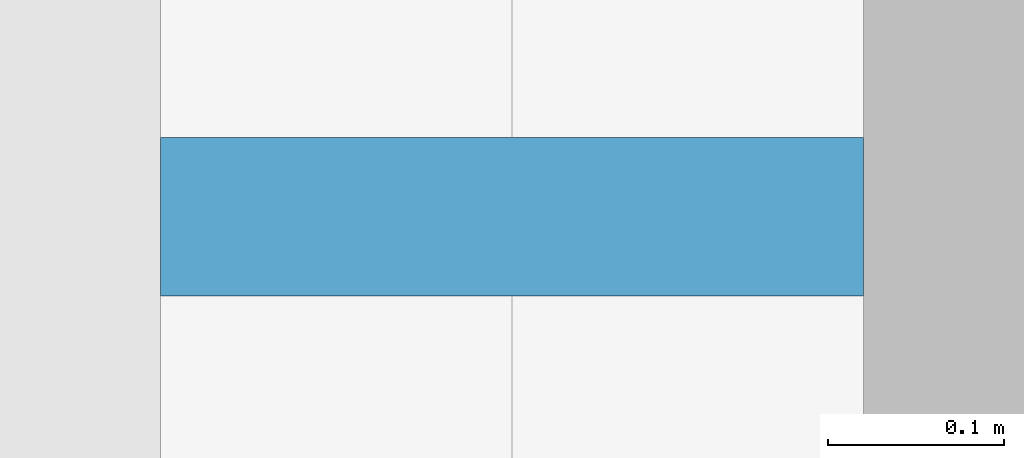
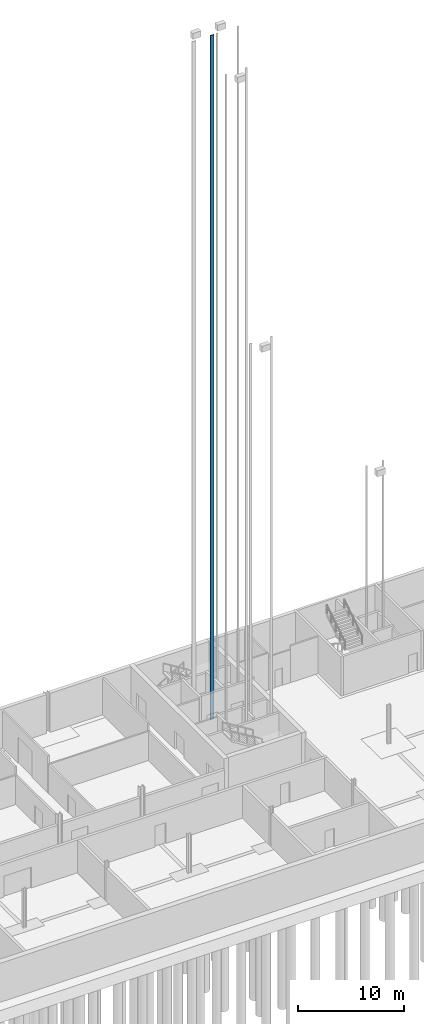
# One storey, part 31 of 41: 1 discrete accessory.
"""IFC4 building model written with IfcOpenShell, lengths in metres."""

from ifc_helpers import new_model, si_unit, direction, frame, origin, origin_2d, place, context, subcontext, project, spatial, rectangle, extrude, material, type_object, element, save


model = new_model("IFC4")

# Units and contexts
model_context = context("Model", 3, precision=1e-05, world=origin(), true_north=direction((0.0, 1.0)))
body_context = subcontext(model_context, "Body", "Model", "MODEL_VIEW")
ifc_project = project(units=[si_unit("LENGTHUNIT", "METRE"), si_unit("AREAUNIT", "SQUARE_METRE"), si_unit("VOLUMEUNIT", "CUBIC_METRE"), si_unit("PLANEANGLEUNIT", "RADIAN"), si_unit("MASSUNIT", "GRAM", prefix="KILO")], contexts=[model_context])

# Site, building, storey
site_placement = place(None, origin())
site = spatial("IfcSite", under=ifc_project, at=site_placement, CompositionType="ELEMENT")
building_placement = place(site_placement, origin())
building = spatial("IfcBuilding", under=site, at=building_placement, Name="Corbel Yard City Hall", CompositionType="ELEMENT")
storey_placement = place(building_placement, frame((0.0, 0.0, -4.5)))
storey = spatial("IfcBuildingStorey", under=building, at=storey_placement, Name="B1", CompositionType="ELEMENT", Elevation=-4.5)

# Discrete accessory
ifc_material = material(Name="Steel Grade G250", Category="steel")
discrete_accessory_type = type_object("IfcDiscreteAccessoryType", Name="LR1", PredefinedType="USERDEFINED", material=ifc_material)
discrete_accessory_placement = place(storey_placement, frame((50.550048828125, 110.85009765625, 0.0), z_axis=(0.0, 0.0, 1.0), x_axis=(1.0, 0.0, 0.0)))
element("IfcDiscreteAccessory", 1, at=discrete_accessory_placement, inside=storey, type_object=discrete_accessory_type, Name="Lift LF2 guide rail 2", ObjectType="GUIDE RAIL", PredefinedType="USERDEFINED", context=body_context, shape_type="SweptSolid", body=[
    extrude(rectangle(XDim=0.39990234375, YDim=0.090087890625, at=origin_2d()), origin(), (0.0, 0.0, 1.0), 79.0),
])

save(model, "model.ifc")
